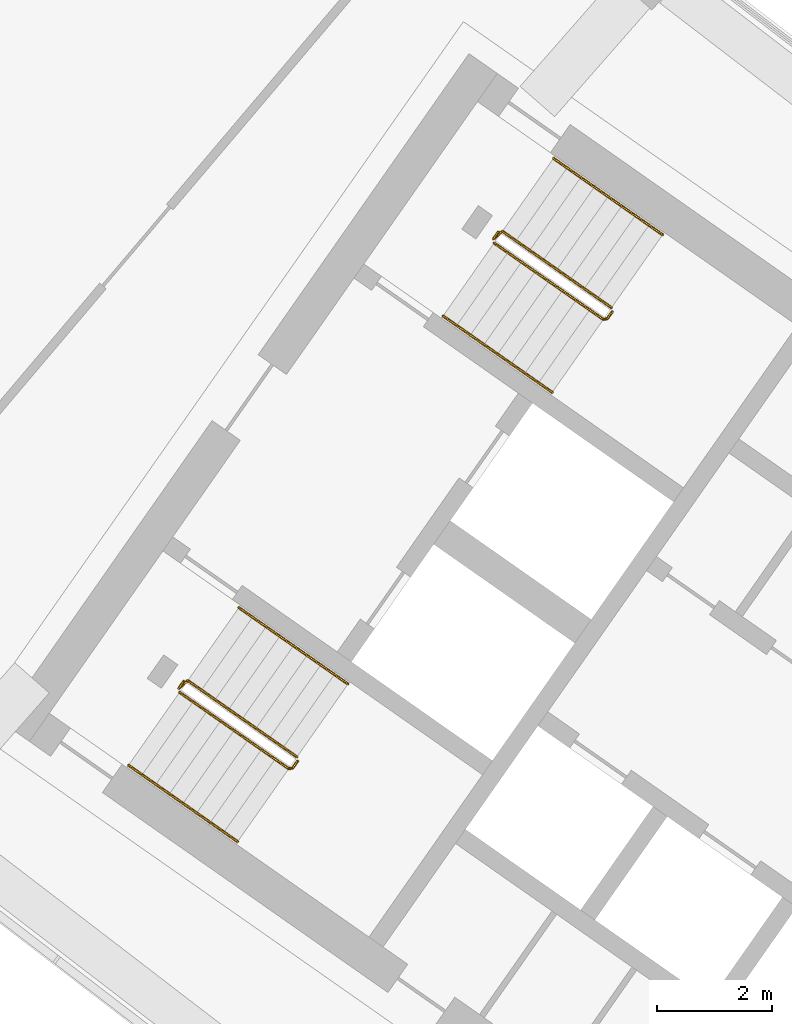
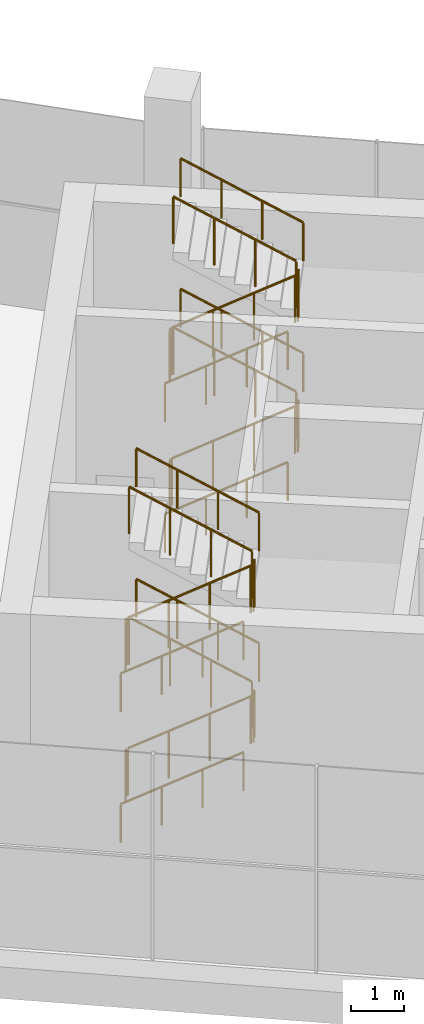
# One storey, part 40 of 41: 18 railings.
"""IFC4 building model written with IfcOpenShell, lengths in metres."""

from ifc_helpers import new_model, si_unit, direction, frame, origin, origin_2d, place, context, subcontext, project, spatial, circle, extrude, material, type_object, element, save


model = new_model("IFC4")

# Units and contexts
model_context = context("Model", 3, precision=1e-05, world=origin(), true_north=direction((0.0, 1.0)))
body_context = subcontext(model_context, "Body", "Model", "MODEL_VIEW")
ifc_project = project(units=[si_unit("LENGTHUNIT", "METRE"), si_unit("AREAUNIT", "SQUARE_METRE"), si_unit("VOLUMEUNIT", "CUBIC_METRE"), si_unit("PLANEANGLEUNIT", "RADIAN"), si_unit("MASSUNIT", "GRAM", prefix="KILO")], contexts=[model_context])

# Site, building, storey
site_placement = place(None, origin())
site = spatial("IfcSite", under=ifc_project, at=site_placement, CompositionType="ELEMENT")
building_placement = place(site_placement, origin())
building = spatial("IfcBuilding", under=site, at=building_placement, Name="Qamariyya Broadcast Tower", CompositionType="ELEMENT")
storey_placement = place(building_placement, frame((0.0, 0.0, 284.699951171875)))
storey = spatial("IfcBuildingStorey", under=building, at=storey_placement, Name="L69", CompositionType="ELEMENT", Elevation=284.699951171875)

# Railings
ifc_material_1 = material(Name="Painted steel", Category="steel")
railing_type_1 = type_object("IfcRailingType", Name="Stair guard", PredefinedType="GUARDRAIL", material=ifc_material_1)
railing_1_placement = place(storey_placement, frame((-41.146728515625, -48.52490234375, 0.166748046875)))
element("IfcRailing", 1, at=railing_1_placement, inside=storey, type_object=railing_type_1, Name="L69 ST-W2 stair guard 1", PredefinedType="GUARDRAIL", context=body_context, shape_type="SweptSolid", body=[
    extrude(circle(Radius=0.02392578125, at=origin_2d()), frame((0.0, 0.0, 1.076171875), z_axis=(0.710236488619, -0.497275033784, 0.498278708164), x_axis=(0.57354709673, 0.81917258733, 0.0)), (0.0, 0.0, 1.0), 2.67578125),
    extrude(circle(Radius=0.02392578125, at=origin_2d()), frame((1.900390625, -1.33056640625, 2.4091796875), z_axis=(0.985059694769, 0.172213233351, 0.0), x_axis=(-0.172213233351, 0.985059694769, 0.0)), (0.0, 0.0, 1.0), 0.07080078125),
    extrude(circle(Radius=0.02392578125, at=origin_2d()), frame((1.97021484375, -1.318359375, 2.4091796875), z_axis=(0.573353020881, 0.819308436089, 0.0), x_axis=(-0.819308436089, 0.573353020881, 0.0)), (0.0, 0.0, 1.0), 0.14990234375),
    extrude(circle(Radius=0.02099609375, at=origin_2d()), origin(), (0.0, 0.0, 1.0), 1.052001953125),
    extrude(circle(Radius=0.02099609375, at=origin_2d()), frame((0.633544921875, -0.443603515625, 0.4443359375)), (0.0, 0.0, 1.0), 1.052001953125),
    extrude(circle(Radius=0.02099609375, at=origin_2d()), frame((1.266845703125, -0.886962890625, 0.888916015625)), (0.0, 0.0, 1.0), 1.052001953125),
    extrude(circle(Radius=0.02099609375, at=origin_2d()), frame((1.900390625, -1.33056640625, 1.333251953125)), (0.0, 0.0, 1.0), 1.052001953125),
    extrude(circle(Radius=0.02099609375, at=origin_2d()), frame((1.97021484375, -1.318359375, 1.333251953125)), (0.0, 0.0, 1.0), 1.052001953125),
    extrude(circle(Radius=0.02099609375, at=origin_2d()), frame((2.05615234375, -1.195556640625, 1.333251953125)), (0.0, 0.0, 1.0), 1.052001953125),
])
railing_2_placement = place(storey_placement, frame((-39.102783203125, -49.65087890625, 1.666748046875)))
element("IfcRailing", 2, at=railing_2_placement, inside=storey, type_object=railing_type_1, Name="L69 ST-W2 stair guard 2", PredefinedType="GUARDRAIL", context=body_context, shape_type="SweptSolid", body=[
    extrude(circle(Radius=0.02392578125, at=origin_2d()), frame((0.0, 0.0, 1.076171875), z_axis=(-0.710204262347, 0.497343709411, 0.498256099265), x_axis=(-0.573617709636, -0.819123142874, 0.0)), (0.0, 0.0, 1.0), 2.67578125),
    extrude(circle(Radius=0.02392578125, at=origin_2d()), frame((-1.900390625, 1.330810546875, 2.4091796875), z_axis=(-0.755063954535, -0.655651145474, 0.0), x_axis=(0.655651145474, -0.755063954535, 0.0)), (0.0, 0.0, 1.0), 0.206298828125),
    extrude(circle(Radius=0.02392578125, at=origin_2d()), frame((-2.05615234375, 1.195556640625, 2.4091796875), z_axis=(0.572588637393, 0.819842821722, 0.0), x_axis=(-0.819842821722, 0.572588637393, 0.0)), (0.0, 0.0, 1.0), 0.150146484375),
    extrude(circle(Radius=0.02099609375, at=origin_2d()), origin(), (0.0, 0.0, 1.0), 1.052001953125),
    extrude(circle(Radius=0.02099609375, at=origin_2d()), frame((-0.633544921875, 0.443603515625, 0.4443359375)), (0.0, 0.0, 1.0), 1.052001953125),
    extrude(circle(Radius=0.02099609375, at=origin_2d()), frame((-1.266845703125, 0.88720703125, 0.888916015625)), (0.0, 0.0, 1.0), 1.052001953125),
    extrude(circle(Radius=0.02099609375, at=origin_2d()), frame((-1.900390625, 1.330810546875, 1.333251953125)), (0.0, 0.0, 1.0), 1.052001953125),
    extrude(circle(Radius=0.02099609375, at=origin_2d()), frame((-2.05615234375, 1.195556640625, 1.333251953125)), (0.0, 0.0, 1.0), 1.052001953125),
    extrude(circle(Radius=0.02099609375, at=origin_2d()), frame((-1.97021484375, 1.318603515625, 1.333251953125)), (0.0, 0.0, 1.0), 1.052001953125),
])
railing_3_placement = place(storey_placement, frame((-41.146728515625, -48.52490234375, 3.166748046875)))
element("IfcRailing", 3, at=railing_3_placement, inside=storey, type_object=railing_type_1, Name="L69 ST-W2 stair guard 3", PredefinedType="GUARDRAIL", context=body_context, shape_type="SweptSolid", body=[
    extrude(circle(Radius=0.02392578125, at=origin_2d()), frame((0.0, 0.0, 1.076171875), z_axis=(0.710236488619, -0.497275033784, 0.498278708164), x_axis=(0.57354709673, 0.81917258733, 0.0)), (0.0, 0.0, 1.0), 2.67578125),
    extrude(circle(Radius=0.02392578125, at=origin_2d()), frame((1.900390625, -1.33056640625, 2.4091796875), z_axis=(0.985059694769, 0.172213233351, 0.0), x_axis=(-0.172213233351, 0.985059694769, 0.0)), (0.0, 0.0, 1.0), 0.07080078125),
    extrude(circle(Radius=0.02392578125, at=origin_2d()), frame((1.97021484375, -1.318359375, 2.4091796875), z_axis=(0.573353020881, 0.819308436089, 0.0), x_axis=(-0.819308436089, 0.573353020881, 0.0)), (0.0, 0.0, 1.0), 0.14990234375),
    extrude(circle(Radius=0.02099609375, at=origin_2d()), origin(), (0.0, 0.0, 1.0), 1.052001953125),
    extrude(circle(Radius=0.02099609375, at=origin_2d()), frame((0.633544921875, -0.443603515625, 0.4443359375)), (0.0, 0.0, 1.0), 1.052001953125),
    extrude(circle(Radius=0.02099609375, at=origin_2d()), frame((1.266845703125, -0.886962890625, 0.888916015625)), (0.0, 0.0, 1.0), 1.052001953125),
    extrude(circle(Radius=0.02099609375, at=origin_2d()), frame((1.900390625, -1.33056640625, 1.333251953125)), (0.0, 0.0, 1.0), 1.052001953125),
    extrude(circle(Radius=0.02099609375, at=origin_2d()), frame((1.97021484375, -1.318359375, 1.333251953125)), (0.0, 0.0, 1.0), 1.052001953125),
    extrude(circle(Radius=0.02099609375, at=origin_2d()), frame((2.05615234375, -1.195556640625, 1.333251953125)), (0.0, 0.0, 1.0), 1.052001953125),
])
railing_4_placement = place(storey_placement, frame((-39.102783203125, -49.65087890625, 4.666748046875)))
element("IfcRailing", 4, at=railing_4_placement, inside=storey, type_object=railing_type_1, Name="L69 ST-W2 stair guard 4", PredefinedType="GUARDRAIL", context=body_context, shape_type="SweptSolid", body=[
    extrude(circle(Radius=0.02392578125, at=origin_2d()), frame((0.0, 0.0, 1.076171875), z_axis=(-0.710204262347, 0.497343709411, 0.498256099265), x_axis=(-0.573617709636, -0.819123142874, 0.0)), (0.0, 0.0, 1.0), 2.67578125),
    extrude(circle(Radius=0.02099609375, at=origin_2d()), origin(), (0.0, 0.0, 1.0), 1.052001953125),
    extrude(circle(Radius=0.02099609375, at=origin_2d()), frame((-0.633544921875, 0.443603515625, 0.4443359375)), (0.0, 0.0, 1.0), 1.052001953125),
    extrude(circle(Radius=0.02099609375, at=origin_2d()), frame((-1.266845703125, 0.88720703125, 0.888916015625)), (0.0, 0.0, 1.0), 1.052001953125),
    extrude(circle(Radius=0.02099609375, at=origin_2d()), frame((-1.900390625, 1.330810546875, 1.333251953125)), (0.0, 0.0, 1.0), 1.052001953125),
])
railing_5_placement = place(storey_placement, frame((-41.158935546875, -48.455322265625, 0.0)))
element("IfcRailing", 5, at=railing_5_placement, inside=storey, type_object=railing_type_1, Name="L69 ST-W2 stair guard 5", PredefinedType="GUARDRAIL", context=body_context, shape_type="SweptSolid", body=[
    extrude(circle(Radius=0.02392578125, at=origin_2d()), frame((0.0, 0.0, 1.076171875), z_axis=(0.572588637393, 0.819842821722, 0.0), x_axis=(-0.819842821722, 0.572588637393, 0.0)), (0.0, 0.0, 1.0), 0.150146484375),
    extrude(circle(Radius=0.02099609375, at=origin_2d()), origin(), (0.0, 0.0, 1.0), 1.052001953125),
    extrude(circle(Radius=0.02099609375, at=origin_2d()), frame((0.0859375, 0.123046875, 0.0)), (0.0, 0.0, 1.0), 1.052001953125),
])
railing_6_placement = place(storey_placement, frame((-46.624267578125, -56.34765625, 0.166748046875)))
element("IfcRailing", 6, at=railing_6_placement, inside=storey, type_object=railing_type_1, Name="L69 ST-W1 stair guard 1", PredefinedType="GUARDRAIL", context=body_context, shape_type="SweptSolid", body=[
    extrude(circle(Radius=0.02392578125, at=origin_2d()), frame((0.0, 0.0, 1.076171875), z_axis=(0.710204262347, -0.497343709411, 0.498256099265), x_axis=(0.573617709636, 0.819123142874, 0.0)), (0.0, 0.0, 1.0), 2.67578125),
    extrude(circle(Radius=0.02392578125, at=origin_2d()), frame((1.900390625, -1.330810546875, 2.4091796875), z_axis=(0.984957024646, 0.172799478008, 0.0), x_axis=(-0.172799478008, 0.984957024646, 0.0)), (0.0, 0.0, 1.0), 0.070556640625),
    extrude(circle(Radius=0.02392578125, at=origin_2d()), frame((1.969970703125, -1.318603515625, 2.4091796875), z_axis=(0.57368046593, 0.819079192149, 0.0), x_axis=(-0.819079192149, 0.57368046593, 0.0)), (0.0, 0.0, 1.0), 0.150146484375),
    extrude(circle(Radius=0.02099609375, at=origin_2d()), origin(), (0.0, 0.0, 1.0), 1.052001953125),
    extrude(circle(Radius=0.02099609375, at=origin_2d()), frame((0.633544921875, -0.443603515625, 0.4443359375)), (0.0, 0.0, 1.0), 1.052001953125),
    extrude(circle(Radius=0.02099609375, at=origin_2d()), frame((1.266845703125, -0.88720703125, 0.888916015625)), (0.0, 0.0, 1.0), 1.052001953125),
    extrude(circle(Radius=0.02099609375, at=origin_2d()), frame((1.900390625, -1.330810546875, 1.333251953125)), (0.0, 0.0, 1.0), 1.052001953125),
    extrude(circle(Radius=0.02099609375, at=origin_2d()), frame((1.969970703125, -1.318603515625, 1.333251953125)), (0.0, 0.0, 1.0), 1.052001953125),
    extrude(circle(Radius=0.02099609375, at=origin_2d()), frame((2.05615234375, -1.195556640625, 1.333251953125)), (0.0, 0.0, 1.0), 1.052001953125),
])
railing_7_placement = place(storey_placement, frame((-44.58056640625, -57.4736328125, 1.666748046875)))
element("IfcRailing", 7, at=railing_7_placement, inside=storey, type_object=railing_type_1, Name="L69 ST-W1 stair guard 2", PredefinedType="GUARDRAIL", context=body_context, shape_type="SweptSolid", body=[
    extrude(circle(Radius=0.02392578125, at=origin_2d()), frame((0.0, 0.0, 1.076171875), z_axis=(-0.710236488619, 0.497275033784, 0.498278708164), x_axis=(-0.57354709673, -0.81917258733, 0.0)), (0.0, 0.0, 1.0), 2.67578125),
    extrude(circle(Radius=0.02392578125, at=origin_2d()), frame((-1.900390625, 1.33056640625, 2.4091796875), z_axis=(-0.755650002112, -0.65497562879, 0.0), x_axis=(0.65497562879, -0.755650002112, 0.0)), (0.0, 0.0, 1.0), 0.2060546875),
    extrude(circle(Radius=0.02392578125, at=origin_2d()), frame((-2.05615234375, 1.195556640625, 2.4091796875), z_axis=(0.574444878118, 0.818543268254, 0.0), x_axis=(-0.818543268254, 0.574444878118, 0.0)), (0.0, 0.0, 1.0), 0.150146484375),
    extrude(circle(Radius=0.02099609375, at=origin_2d()), origin(), (0.0, 0.0, 1.0), 1.052001953125),
    extrude(circle(Radius=0.02099609375, at=origin_2d()), frame((-0.633544921875, 0.443603515625, 0.4443359375)), (0.0, 0.0, 1.0), 1.052001953125),
    extrude(circle(Radius=0.02099609375, at=origin_2d()), frame((-1.266845703125, 0.886962890625, 0.888916015625)), (0.0, 0.0, 1.0), 1.052001953125),
    extrude(circle(Radius=0.02099609375, at=origin_2d()), frame((-1.900390625, 1.33056640625, 1.333251953125)), (0.0, 0.0, 1.0), 1.052001953125),
    extrude(circle(Radius=0.02099609375, at=origin_2d()), frame((-2.05615234375, 1.195556640625, 1.333251953125)), (0.0, 0.0, 1.0), 1.052001953125),
    extrude(circle(Radius=0.02099609375, at=origin_2d()), frame((-1.969970703125, 1.318359375, 1.333251953125)), (0.0, 0.0, 1.0), 1.052001953125),
])
railing_8_placement = place(storey_placement, frame((-46.624267578125, -56.34765625, 3.166748046875)))
element("IfcRailing", 8, at=railing_8_placement, inside=storey, type_object=railing_type_1, Name="L69 ST-W1 stair guard 3", PredefinedType="GUARDRAIL", context=body_context, shape_type="SweptSolid", body=[
    extrude(circle(Radius=0.02392578125, at=origin_2d()), frame((0.0, 0.0, 1.076171875), z_axis=(0.710204262347, -0.497343709411, 0.498256099265), x_axis=(0.573617709636, 0.819123142874, 0.0)), (0.0, 0.0, 1.0), 2.67578125),
    extrude(circle(Radius=0.02392578125, at=origin_2d()), frame((1.900390625, -1.330810546875, 2.4091796875), z_axis=(0.984957024646, 0.172799478008, 0.0), x_axis=(-0.172799478008, 0.984957024646, 0.0)), (0.0, 0.0, 1.0), 0.070556640625),
    extrude(circle(Radius=0.02392578125, at=origin_2d()), frame((1.969970703125, -1.318603515625, 2.4091796875), z_axis=(0.57368046593, 0.819079192149, 0.0), x_axis=(-0.819079192149, 0.57368046593, 0.0)), (0.0, 0.0, 1.0), 0.150146484375),
    extrude(circle(Radius=0.02099609375, at=origin_2d()), origin(), (0.0, 0.0, 1.0), 1.052001953125),
    extrude(circle(Radius=0.02099609375, at=origin_2d()), frame((0.633544921875, -0.443603515625, 0.4443359375)), (0.0, 0.0, 1.0), 1.052001953125),
    extrude(circle(Radius=0.02099609375, at=origin_2d()), frame((1.266845703125, -0.88720703125, 0.888916015625)), (0.0, 0.0, 1.0), 1.052001953125),
    extrude(circle(Radius=0.02099609375, at=origin_2d()), frame((1.900390625, -1.330810546875, 1.333251953125)), (0.0, 0.0, 1.0), 1.052001953125),
    extrude(circle(Radius=0.02099609375, at=origin_2d()), frame((1.969970703125, -1.318603515625, 1.333251953125)), (0.0, 0.0, 1.0), 1.052001953125),
    extrude(circle(Radius=0.02099609375, at=origin_2d()), frame((2.05615234375, -1.195556640625, 1.333251953125)), (0.0, 0.0, 1.0), 1.052001953125),
])
railing_9_placement = place(storey_placement, frame((-44.58056640625, -57.4736328125, 4.666748046875)))
element("IfcRailing", 9, at=railing_9_placement, inside=storey, type_object=railing_type_1, Name="L69 ST-W1 stair guard 4", PredefinedType="GUARDRAIL", context=body_context, shape_type="SweptSolid", body=[
    extrude(circle(Radius=0.02392578125, at=origin_2d()), frame((0.0, 0.0, 1.076171875), z_axis=(-0.710236488619, 0.497275033784, 0.498278708164), x_axis=(-0.57354709673, -0.81917258733, 0.0)), (0.0, 0.0, 1.0), 2.67578125),
    extrude(circle(Radius=0.02099609375, at=origin_2d()), origin(), (0.0, 0.0, 1.0), 1.052001953125),
    extrude(circle(Radius=0.02099609375, at=origin_2d()), frame((-0.633544921875, 0.443603515625, 0.4443359375)), (0.0, 0.0, 1.0), 1.052001953125),
    extrude(circle(Radius=0.02099609375, at=origin_2d()), frame((-1.266845703125, 0.886962890625, 0.888916015625)), (0.0, 0.0, 1.0), 1.052001953125),
    extrude(circle(Radius=0.02099609375, at=origin_2d()), frame((-1.900390625, 1.33056640625, 1.333251953125)), (0.0, 0.0, 1.0), 1.052001953125),
])
railing_10_placement = place(storey_placement, frame((-46.63671875, -56.278076171875, 0.0)))
element("IfcRailing", 10, at=railing_10_placement, inside=storey, type_object=railing_type_1, Name="L69 ST-W1 stair guard 5", PredefinedType="GUARDRAIL", context=body_context, shape_type="SweptSolid", body=[
    extrude(circle(Radius=0.02392578125, at=origin_2d()), frame((0.0, 0.0, 1.076171875), z_axis=(0.574444878118, 0.818543268254, 0.0), x_axis=(-0.818543268254, 0.574444878118, 0.0)), (0.0, 0.0, 1.0), 0.150146484375),
    extrude(circle(Radius=0.02099609375, at=origin_2d()), origin(), (0.0, 0.0, 1.0), 1.052001953125),
    extrude(circle(Radius=0.02099609375, at=origin_2d()), frame((0.086181640625, 0.122802734375, 0.0)), (0.0, 0.0, 1.0), 1.052001953125),
])
ifc_material_2 = material(Name="Stainless steel", Category="steel")
railing_type_2 = type_object("IfcRailingType", Name="Stair handrail", PredefinedType="HANDRAIL", material=ifc_material_2)
railing_11_placement = place(storey_placement, frame((-42.03564453125, -49.79443359375, 0.166748046875)))
element("IfcRailing", 11, at=railing_11_placement, inside=storey, type_object=railing_type_2, Name="L69 ST-W2 stair handrail 1", PredefinedType="HANDRAIL", context=body_context, shape_type="SweptSolid", body=[
    extrude(circle(Radius=0.02392578125, at=origin_2d()), frame((0.0, 0.0, 0.8759765625), z_axis=(0.710204262347, -0.497343709411, 0.498256099265), x_axis=(0.573617709636, 0.819123142874, 0.0)), (0.0, 0.0, 1.0), 2.67578125),
    extrude(circle(Radius=0.02099609375, at=origin_2d()), origin(), (0.0, 0.0, 1.0), 0.851806640625),
    extrude(circle(Radius=0.02099609375, at=origin_2d()), frame((0.633544921875, -0.443603515625, 0.4443359375)), (0.0, 0.0, 1.0), 0.851806640625),
    extrude(circle(Radius=0.02099609375, at=origin_2d()), frame((1.266845703125, -0.88720703125, 0.888916015625)), (0.0, 0.0, 1.0), 0.851806640625),
    extrude(circle(Radius=0.02099609375, at=origin_2d()), frame((1.900390625, -1.330810546875, 1.333251953125)), (0.0, 0.0, 1.0), 0.851806640625),
])
railing_12_placement = place(storey_placement, frame((-38.2138671875, -48.381103515625, 1.666748046875)))
element("IfcRailing", 12, at=railing_12_placement, inside=storey, type_object=railing_type_2, Name="L69 ST-W2 stair handrail 2", PredefinedType="HANDRAIL", context=body_context, shape_type="SweptSolid", body=[
    extrude(circle(Radius=0.02392578125, at=origin_2d()), frame((0.0, 0.0, 0.8759765625), z_axis=(-0.710204262347, 0.497343709411, 0.498256099265), x_axis=(-0.573617709636, -0.819123142874, 0.0)), (0.0, 0.0, 1.0), 2.67578125),
    extrude(circle(Radius=0.02099609375, at=origin_2d()), origin(), (0.0, 0.0, 1.0), 0.851806640625),
    extrude(circle(Radius=0.02099609375, at=origin_2d()), frame((-0.633544921875, 0.443603515625, 0.4443359375)), (0.0, 0.0, 1.0), 0.851806640625),
    extrude(circle(Radius=0.02099609375, at=origin_2d()), frame((-1.266845703125, 0.88720703125, 0.888916015625)), (0.0, 0.0, 1.0), 0.851806640625),
    extrude(circle(Radius=0.02099609375, at=origin_2d()), frame((-1.900390625, 1.330810546875, 1.333251953125)), (0.0, 0.0, 1.0), 0.851806640625),
])
railing_13_placement = place(storey_placement, frame((-42.03564453125, -49.79443359375, 3.166748046875)))
element("IfcRailing", 13, at=railing_13_placement, inside=storey, type_object=railing_type_2, Name="L69 ST-W2 stair handrail 3", PredefinedType="HANDRAIL", context=body_context, shape_type="SweptSolid", body=[
    extrude(circle(Radius=0.02392578125, at=origin_2d()), frame((0.0, 0.0, 0.8759765625), z_axis=(0.710204262347, -0.497343709411, 0.498256099265), x_axis=(0.573617709636, 0.819123142874, 0.0)), (0.0, 0.0, 1.0), 2.67578125),
    extrude(circle(Radius=0.02099609375, at=origin_2d()), origin(), (0.0, 0.0, 1.0), 0.851806640625),
    extrude(circle(Radius=0.02099609375, at=origin_2d()), frame((0.633544921875, -0.443603515625, 0.4443359375)), (0.0, 0.0, 1.0), 0.851806640625),
    extrude(circle(Radius=0.02099609375, at=origin_2d()), frame((1.266845703125, -0.88720703125, 0.888916015625)), (0.0, 0.0, 1.0), 0.851806640625),
    extrude(circle(Radius=0.02099609375, at=origin_2d()), frame((1.900390625, -1.330810546875, 1.333251953125)), (0.0, 0.0, 1.0), 0.851806640625),
])
railing_14_placement = place(storey_placement, frame((-38.2138671875, -48.381103515625, 4.666748046875)))
element("IfcRailing", 14, at=railing_14_placement, inside=storey, type_object=railing_type_2, Name="L69 ST-W2 stair handrail 4", PredefinedType="HANDRAIL", context=body_context, shape_type="SweptSolid", body=[
    extrude(circle(Radius=0.02392578125, at=origin_2d()), frame((0.0, 0.0, 0.8759765625), z_axis=(-0.710204262347, 0.497343709411, 0.498256099265), x_axis=(-0.573617709636, -0.819123142874, 0.0)), (0.0, 0.0, 1.0), 2.67578125),
    extrude(circle(Radius=0.02099609375, at=origin_2d()), origin(), (0.0, 0.0, 1.0), 0.851806640625),
    extrude(circle(Radius=0.02099609375, at=origin_2d()), frame((-0.633544921875, 0.443603515625, 0.4443359375)), (0.0, 0.0, 1.0), 0.851806640625),
    extrude(circle(Radius=0.02099609375, at=origin_2d()), frame((-1.266845703125, 0.88720703125, 0.888916015625)), (0.0, 0.0, 1.0), 0.851806640625),
    extrude(circle(Radius=0.02099609375, at=origin_2d()), frame((-1.900390625, 1.330810546875, 1.333251953125)), (0.0, 0.0, 1.0), 0.851806640625),
])
railing_15_placement = place(storey_placement, frame((-47.513427734375, -57.617431640625, 0.166748046875)))
element("IfcRailing", 15, at=railing_15_placement, inside=storey, type_object=railing_type_2, Name="L69 ST-W1 stair handrail 1", PredefinedType="HANDRAIL", context=body_context, shape_type="SweptSolid", body=[
    extrude(circle(Radius=0.02392578125, at=origin_2d()), frame((0.0, 0.0, 0.8759765625), z_axis=(0.710204262347, -0.497343709411, 0.498256099265), x_axis=(0.573617709636, 0.819123142874, 0.0)), (0.0, 0.0, 1.0), 2.67578125),
    extrude(circle(Radius=0.02099609375, at=origin_2d()), origin(), (0.0, 0.0, 1.0), 0.851806640625),
    extrude(circle(Radius=0.02099609375, at=origin_2d()), frame((0.633544921875, -0.443603515625, 0.4443359375)), (0.0, 0.0, 1.0), 0.851806640625),
    extrude(circle(Radius=0.02099609375, at=origin_2d()), frame((1.266845703125, -0.88720703125, 0.888916015625)), (0.0, 0.0, 1.0), 0.851806640625),
    extrude(circle(Radius=0.02099609375, at=origin_2d()), frame((1.900390625, -1.330810546875, 1.333251953125)), (0.0, 0.0, 1.0), 0.851806640625),
])
railing_16_placement = place(storey_placement, frame((-43.69140625, -56.2041015625, 1.666748046875)))
element("IfcRailing", 16, at=railing_16_placement, inside=storey, type_object=railing_type_2, Name="L69 ST-W1 stair handrail 2", PredefinedType="HANDRAIL", context=body_context, shape_type="SweptSolid", body=[
    extrude(circle(Radius=0.02392578125, at=origin_2d()), frame((0.0, 0.0, 0.8759765625), z_axis=(-0.710204262347, 0.497343709411, 0.498256099265), x_axis=(-0.573617709636, -0.819123142874, 0.0)), (0.0, 0.0, 1.0), 2.67578125),
    extrude(circle(Radius=0.02099609375, at=origin_2d()), origin(), (0.0, 0.0, 1.0), 0.851806640625),
    extrude(circle(Radius=0.02099609375, at=origin_2d()), frame((-0.633544921875, 0.443603515625, 0.4443359375)), (0.0, 0.0, 1.0), 0.851806640625),
    extrude(circle(Radius=0.02099609375, at=origin_2d()), frame((-1.266845703125, 0.88720703125, 0.888916015625)), (0.0, 0.0, 1.0), 0.851806640625),
    extrude(circle(Radius=0.02099609375, at=origin_2d()), frame((-1.900390625, 1.330810546875, 1.333251953125)), (0.0, 0.0, 1.0), 0.851806640625),
])
railing_17_placement = place(storey_placement, frame((-47.513427734375, -57.617431640625, 3.166748046875)))
element("IfcRailing", 17, at=railing_17_placement, inside=storey, type_object=railing_type_2, Name="L69 ST-W1 stair handrail 3", PredefinedType="HANDRAIL", context=body_context, shape_type="SweptSolid", body=[
    extrude(circle(Radius=0.02392578125, at=origin_2d()), frame((0.0, 0.0, 0.8759765625), z_axis=(0.710204262347, -0.497343709411, 0.498256099265), x_axis=(0.573617709636, 0.819123142874, 0.0)), (0.0, 0.0, 1.0), 2.67578125),
    extrude(circle(Radius=0.02099609375, at=origin_2d()), origin(), (0.0, 0.0, 1.0), 0.851806640625),
    extrude(circle(Radius=0.02099609375, at=origin_2d()), frame((0.633544921875, -0.443603515625, 0.4443359375)), (0.0, 0.0, 1.0), 0.851806640625),
    extrude(circle(Radius=0.02099609375, at=origin_2d()), frame((1.266845703125, -0.88720703125, 0.888916015625)), (0.0, 0.0, 1.0), 0.851806640625),
    extrude(circle(Radius=0.02099609375, at=origin_2d()), frame((1.900390625, -1.330810546875, 1.333251953125)), (0.0, 0.0, 1.0), 0.851806640625),
])
railing_18_placement = place(storey_placement, frame((-43.69140625, -56.2041015625, 4.666748046875)))
element("IfcRailing", 18, at=railing_18_placement, inside=storey, type_object=railing_type_2, Name="L69 ST-W1 stair handrail 4", PredefinedType="HANDRAIL", context=body_context, shape_type="SweptSolid", body=[
    extrude(circle(Radius=0.02392578125, at=origin_2d()), frame((0.0, 0.0, 0.8759765625), z_axis=(-0.710204262347, 0.497343709411, 0.498256099265), x_axis=(-0.573617709636, -0.819123142874, 0.0)), (0.0, 0.0, 1.0), 2.67578125),
    extrude(circle(Radius=0.02099609375, at=origin_2d()), origin(), (0.0, 0.0, 1.0), 0.851806640625),
    extrude(circle(Radius=0.02099609375, at=origin_2d()), frame((-0.633544921875, 0.443603515625, 0.4443359375)), (0.0, 0.0, 1.0), 0.851806640625),
    extrude(circle(Radius=0.02099609375, at=origin_2d()), frame((-1.266845703125, 0.88720703125, 0.888916015625)), (0.0, 0.0, 1.0), 0.851806640625),
    extrude(circle(Radius=0.02099609375, at=origin_2d()), frame((-1.900390625, 1.330810546875, 1.333251953125)), (0.0, 0.0, 1.0), 0.851806640625),
])

save(model, "model.ifc")
